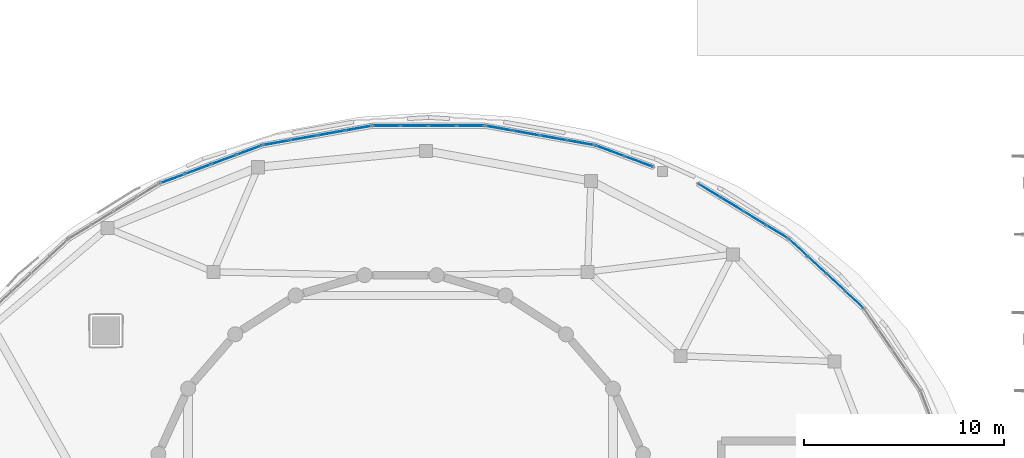
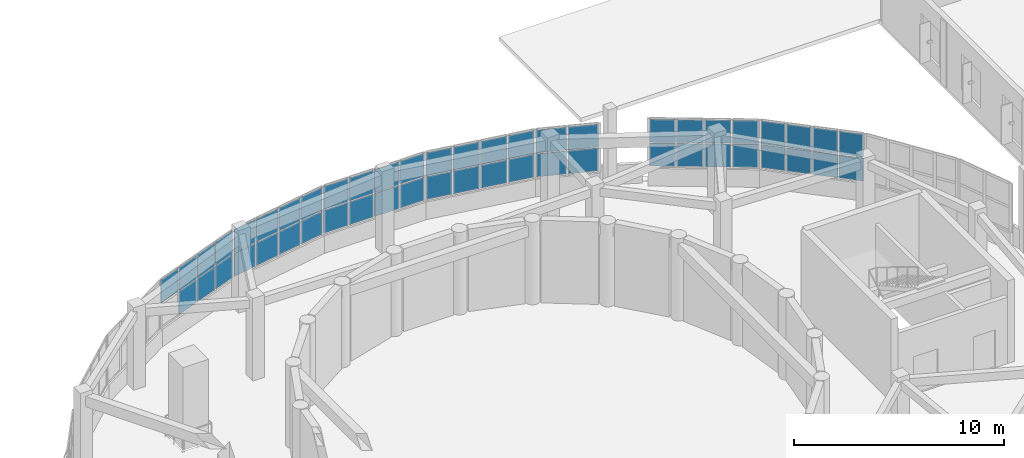
# One storey, part 78 of 105: 51 plates, 7 elements without a shape of their own.
"""IFC4 building model written with IfcOpenShell, lengths in metres."""

import ifcopenshell
import ifcopenshell.guid

model = None  # the IFC model being written
_history = None  # IfcOwnerHistory: only IFC2X3 demands one
_inside = {}  # id of a spatial element -> (the spatial element, [elements in it])
_under = {}  # id of a project, library or spatial element -> (it, [spatial elements below it])
_declared = {}  # id of a project -> (the project, [libraries it declares])
_typed = {}  # id of a type object -> (the type object, [elements of that type])
_made_of = {}  # id of a material, layer set ... -> (it, [elements and type objects made of it])


def new_model(schema):
    """Start an empty IFC model of exactly this schema.

    Asked for "IFC4X3", IfcOpenShell would pick the latest addendum, in which some entities
    have other attributes; the version numbers below select the first issue.
    IFC2X3 requires an IfcOwnerHistory on every rooted entity: one is made here for all.
    """
    global model, _history
    if schema == "IFC4X3":
        model = ifcopenshell.file(schema_version=(4, 3, 0, 0))
    else:
        model = ifcopenshell.file(schema=schema)
    _inside.clear()
    _under.clear()
    _declared.clear()
    _typed.clear()
    _made_of.clear()
    _history = None
    if model.schema == "IFC2X3":
        org = make("IfcOrganization", Name="unknown")
        user = make(
            "IfcPersonAndOrganization",
            ThePerson=make("IfcPerson", FamilyName="unknown"),
            TheOrganization=org,
        )
        app = make(
            "IfcApplication",
            ApplicationDeveloper=org,
            Version="unknown",
            ApplicationFullName="unknown",
            ApplicationIdentifier="unknown",
        )
        _history = make(
            "IfcOwnerHistory",
            OwningUser=user,
            OwningApplication=app,
            ChangeAction="ADDED",
            CreationDate=0,
        )
    return model


def make(cls, **values):
    """One entity of the class cls with the attributes given. An attribute that is None is left unset."""
    return model.create_entity(
        cls, **{name: value for name, value in values.items() if value is not None}
    )


def rooted(cls, **values):
    """An entity with a GlobalId (a new one), such as an element, a storey or a relation."""
    return make(cls, GlobalId=ifcopenshell.guid.new(), OwnerHistory=_history, **values)


def si_unit(unit_type, name, prefix=None):
    """IfcSIUnit, for example si_unit("LENGTHUNIT", "METRE", prefix="MILLI")."""
    return make("IfcSIUnit", UnitType=unit_type, Prefix=prefix, Name=name)


def assignment(units):
    """IfcUnitAssignment: the units of a project."""
    return None if units is None else make("IfcUnitAssignment", Units=units)


def point(xyz):
    """IfcCartesianPoint."""
    return None if xyz is None else make("IfcCartesianPoint", Coordinates=xyz)


def direction(xyz):
    """IfcDirection."""
    return None if xyz is None else make("IfcDirection", DirectionRatios=xyz)


def frame(location, z_axis=None, x_axis=None):
    """IfcAxis2Placement3D, a coordinate frame: its origin and axes. An axis left out is left unset."""
    return make(
        "IfcAxis2Placement3D",
        Location=point(location),
        Axis=direction(z_axis),
        RefDirection=direction(x_axis),
    )


def frame_2d(location, x_axis=None):
    """IfcAxis2Placement2D, a coordinate frame in the plane: its origin and x axis."""
    return make(
        "IfcAxis2Placement2D", Location=point(location), RefDirection=direction(x_axis)
    )


def origin():
    """The frame at (0, 0, 0) with its axes left unset."""
    return frame((0.0, 0.0, 0.0))


def origin_2d():
    """The frame at (0, 0) in the plane with its x axis left unset."""
    return frame_2d((0.0, 0.0))


def place(relative_to, where):
    """IfcLocalPlacement: puts the frame where relative to a parent placement (None: the world)."""
    return make(
        "IfcLocalPlacement", PlacementRelTo=relative_to, RelativePlacement=where
    )


def context(
    kind, dimensions, precision=None, world=None, true_north=None, identifier=None
):
    """IfcGeometricRepresentationContext, for example the 3D "Model" context."""
    return make(
        "IfcGeometricRepresentationContext",
        ContextIdentifier=identifier,
        ContextType=kind,
        CoordinateSpaceDimension=dimensions,
        Precision=precision,
        WorldCoordinateSystem=world,
        TrueNorth=true_north,
    )


def subcontext(parent, identifier, kind, view, scale=None):
    """IfcGeometricRepresentationSubContext, for example "Body" below "Model"."""
    return make(
        "IfcGeometricRepresentationSubContext",
        ContextIdentifier=identifier,
        ContextType=kind,
        ParentContext=parent,
        TargetScale=scale,
        TargetView=view,
    )


def project(units=None, contexts=None):
    """IfcProject with its units and contexts."""
    return rooted(
        "IfcProject",
        Name="project",
        RepresentationContexts=contexts,
        UnitsInContext=assignment(units),
    )


def spatial(cls, under=None, at=None, **own):
    """A site, building, storey or space (cls), placed at a placement, below another one or the project."""
    s = rooted(cls, ObjectPlacement=at, **own)
    if under is not None:
        _under.setdefault(under.id(), (under, []))[1].append(s)
    return s


def profile(cls, at=None, kind="AREA", **sizes):
    """A parametric profile (cls). Its sizes go by their IFC names, for example OverallWidth=200.0."""
    return make(cls, ProfileType=kind, Position=at, **sizes)


def rectangle(**sizes):
    """IfcRectangleProfileDef."""
    return profile("IfcRectangleProfileDef", **sizes)


def extrude(swept, where, along, depth):
    """IfcExtrudedAreaSolid: the profile swept, set in the frame where, extruded along a direction by depth."""
    return make(
        "IfcExtrudedAreaSolid",
        SweptArea=swept,
        Position=where,
        ExtrudedDirection=direction(along),
        Depth=depth,
    )


def shape(context_of_items, identifier, shape_type, items):
    """IfcShapeRepresentation: the items that make up one representation, for example the "Body"."""
    return make(
        "IfcShapeRepresentation",
        ContextOfItems=context_of_items,
        RepresentationIdentifier=identifier,
        RepresentationType=shape_type,
        Items=items,
    )


def material(Name=None, Category=None):
    """IfcMaterial."""
    return make("IfcMaterial", Name=Name, Category=Category)


def layer(
    of_material, thickness, ventilated=None, Name=None, Category=None, Priority=None
):
    """IfcMaterialLayer: one layer of a wall or slab, of a material (None: an air gap)."""
    return make(
        "IfcMaterialLayer",
        Material=of_material,
        LayerThickness=thickness,
        IsVentilated=ventilated,
        Name=Name,
        Category=Category,
        Priority=Priority,
    )


def layer_set(layers, Name=None):
    """IfcMaterialLayerSet."""
    return make("IfcMaterialLayerSet", MaterialLayers=layers, LayerSetName=Name)


def made_of(thing, what):
    """Note that an element or type object is made of a material, layer set ...; save() writes the relation."""
    if what is not None:
        _made_of.setdefault(what.id(), (what, []))[1].append(thing)
    return thing


def type_object(cls, material=None, **own):
    """A type object (cls), such as IfcWallType, which elements share."""
    return made_of(rooted(cls, **own), material)


def element(
    cls,
    number,
    at=None,
    inside=None,
    cuts=None,
    type_object=None,
    material=None,
    context=None,
    identifier="Body",
    shape_type=None,
    held_by="IfcProductDefinitionShape",
    body=None,
    shapes=None,
    **own,
):
    """One element of the class cls, such as IfcWall. Its Tag is "e" and its number.

    at: its placement. inside: the storey or other place that contains it. cuts: it is an
    opening in that element (IfcRelVoidsElement). A single representation is given by context,
    identifier, shape_type and body (its items); several are given by shapes. held_by: the class
    of the entity that holds the representations. save() writes the other relations.
    """
    e = rooted(cls, Tag="e%d" % number, ObjectPlacement=at, **own)
    if body is not None:
        shapes = [shape(context, identifier, shape_type, body)]
    if shapes is not None:
        e.Representation = make(held_by, Representations=shapes)
    if inside is not None:
        _inside.setdefault(inside.id(), (inside, []))[1].append(e)
    if cuts is not None:
        rooted(
            "IfcRelVoidsElement", RelatingBuildingElement=cuts, RelatedOpeningElement=e
        )
    if type_object is not None:
        _typed.setdefault(type_object.id(), (type_object, []))[1].append(e)
    return made_of(e, material)


def aggregate(whole, parts):
    """IfcRelAggregates: a whole, such as a stair, and the parts it consists of."""
    return rooted("IfcRelAggregates", RelatingObject=whole, RelatedObjects=parts)


def save(model, path):
    """Write the relations noted so far, then the file.

    IfcRelAggregates (storeys below a building ...), IfcRelContainedInSpatialStructure (elements
    in a storey), IfcRelDefinesByType, IfcRelAssociatesMaterial and IfcRelDeclares: one each for
    every whole, place, type object, material and project.
    """
    for whole, parts in _under.values():
        aggregate(whole, parts)
    for where, things in _inside.values():
        rooted(
            "IfcRelContainedInSpatialStructure",
            RelatedElements=things,
            RelatingStructure=where,
        )
    for kind, things in _typed.values():
        rooted("IfcRelDefinesByType", RelatedObjects=things, RelatingType=kind)
    for what, things in _made_of.values():
        rooted("IfcRelAssociatesMaterial", RelatedObjects=things, RelatingMaterial=what)
    for by, libraries in _declared.values():
        rooted("IfcRelDeclares", RelatingContext=by, RelatedDefinitions=libraries)
    model.write(path)


model = new_model("IFC4")

# Units and contexts
model_context = context("Model", 3, precision=1e-05, world=origin(), true_north=direction((0.0, 1.0)))
body_context = subcontext(model_context, "Body", "Model", "MODEL_VIEW")
ifc_project = project(units=[si_unit("LENGTHUNIT", "METRE"), si_unit("AREAUNIT", "SQUARE_METRE"), si_unit("VOLUMEUNIT", "CUBIC_METRE"), si_unit("PLANEANGLEUNIT", "RADIAN"), si_unit("MASSUNIT", "GRAM", prefix="KILO")], contexts=[model_context])

# Site, building, storey
site_placement = place(None, origin())
site = spatial("IfcSite", under=ifc_project, at=site_placement, CompositionType="ELEMENT")
building_placement = place(site_placement, origin())
building = spatial("IfcBuilding", under=site, at=building_placement, Name="Pelvatis Terrace Science Centre", CompositionType="ELEMENT")
storey_placement = place(building_placement, frame((0.0, 0.0, 10.199951171875)))
storey = spatial("IfcBuildingStorey", under=building, at=storey_placement, Name="L02", CompositionType="ELEMENT", Elevation=10.199951171875)

# Curtain wall, plates
ifc_material_1 = material(Name="Bronze-anodised aluminium and laminated glass", Category="aluminium")
ifc_layer_1 = layer(ifc_material_1, 0.179931640625)
ifc_layer_set_1 = layer_set([ifc_layer_1], Name="Bronze-anodised aluminium and laminated glass")
curtain_wall_type = type_object("IfcCurtainWallType", Name="CW-RIBBON-A", PredefinedType="NOTDEFINED", material=ifc_layer_set_1)
curtain_wall_1_placement = place(storey_placement, origin())
curtain_wall_1 = element("IfcCurtainWall", 1, at=curtain_wall_1_placement, inside=storey, type_object=curtain_wall_type, Name="Ribbon curtain wall CW-157 (L02)", PredefinedType="NOTDEFINED")
ifc_material_2 = material(Name="Low-e laminated solar-control double glazing", Category="glass")
ifc_layer_2 = layer(ifc_material_2, 0.035888671875)
ifc_layer_set_2 = layer_set([ifc_layer_2], Name="Low-e laminated solar-control double glazing")
plate_type = type_object("IfcPlateType", Name="CWP-IGU-36", PredefinedType="CURTAIN_PANEL", material=ifc_layer_set_2)
plate_1_placement = place(storey_placement, frame((131.841552734375, 97.0419921875, 1.080078125), z_axis=(0.0, 0.0, 1.0), x_axis=(-0.732776119466, 0.680469807369, 0.0)))
plate_1 = element("IfcPlate", 2, at=plate_1_placement, type_object=plate_type, Name="CW-157 panel 1.1", PredefinedType="CURTAIN_PANEL", context=body_context, shape_type="SweptSolid", body=[
    extrude(rectangle(XDim=1.19140625, YDim=0.035888671875, at=origin_2d()), origin(), (0.0, 0.0, 1.0), 1.330078125),
])
plate_2_placement = place(storey_placement, frame((131.841552734375, 97.0419921875, 2.469970703125), z_axis=(0.0, 0.0, 1.0), x_axis=(-0.732776119466, 0.680469807369, 0.0)))
plate_2 = element("IfcPlate", 3, at=plate_2_placement, type_object=plate_type, Name="CW-157 panel 1.2", PredefinedType="CURTAIN_PANEL", context=body_context, shape_type="SweptSolid", body=[
    extrude(rectangle(XDim=1.19140625, YDim=0.035888671875, at=origin_2d()), origin(), (0.0, 0.0, 1.0), 1.330078125),
])
plate_3_placement = place(storey_placement, frame((130.91357421875, 97.90380859375, 1.080078125), z_axis=(0.0, 0.0, 1.0), x_axis=(-0.732776119466, 0.680469807369, 0.0)))
plate_3 = element("IfcPlate", 4, at=plate_3_placement, type_object=plate_type, Name="CW-157 panel 2.1", PredefinedType="CURTAIN_PANEL", context=body_context, shape_type="SweptSolid", body=[
    extrude(rectangle(XDim=1.221435546875, YDim=0.035888671875, at=origin_2d()), origin(), (0.0, 0.0, 1.0), 1.330078125),
])
plate_4_placement = place(storey_placement, frame((130.91357421875, 97.90380859375, 2.469970703125), z_axis=(0.0, 0.0, 1.0), x_axis=(-0.732776119466, 0.680469807369, 0.0)))
plate_4 = element("IfcPlate", 5, at=plate_4_placement, type_object=plate_type, Name="CW-157 panel 2.2", PredefinedType="CURTAIN_PANEL", context=body_context, shape_type="SweptSolid", body=[
    extrude(rectangle(XDim=1.221435546875, YDim=0.035888671875, at=origin_2d()), origin(), (0.0, 0.0, 1.0), 1.330078125),
])
plate_5_placement = place(storey_placement, frame((129.974609375, 98.775634765625, 1.080078125), z_axis=(0.0, 0.0, 1.0), x_axis=(-0.732776119466, 0.680469807369, 0.0)))
plate_5 = element("IfcPlate", 6, at=plate_5_placement, type_object=plate_type, Name="CW-157 panel 3.1", PredefinedType="CURTAIN_PANEL", context=body_context, shape_type="SweptSolid", body=[
    extrude(rectangle(XDim=1.221435546875, YDim=0.035888671875, at=origin_2d()), origin(), (0.0, 0.0, 1.0), 1.330078125),
])
plate_6_placement = place(storey_placement, frame((129.974609375, 98.775634765625, 2.469970703125), z_axis=(0.0, 0.0, 1.0), x_axis=(-0.732776119466, 0.680469807369, 0.0)))
plate_6 = element("IfcPlate", 7, at=plate_6_placement, type_object=plate_type, Name="CW-157 panel 3.2", PredefinedType="CURTAIN_PANEL", context=body_context, shape_type="SweptSolid", body=[
    extrude(rectangle(XDim=1.221435546875, YDim=0.035888671875, at=origin_2d()), origin(), (0.0, 0.0, 1.0), 1.330078125),
])
plate_7_placement = place(storey_placement, frame((129.046630859375, 99.637451171875, 1.080078125), z_axis=(0.0, 0.0, 1.0), x_axis=(-0.732776119466, 0.680469807369, 0.0)))
plate_7 = element("IfcPlate", 8, at=plate_7_placement, type_object=plate_type, Name="CW-157 panel 4.1", PredefinedType="CURTAIN_PANEL", context=body_context, shape_type="SweptSolid", body=[
    extrude(rectangle(XDim=1.19140625, YDim=0.035888671875, at=origin_2d()), origin(), (0.0, 0.0, 1.0), 1.330078125),
])
plate_8_placement = place(storey_placement, frame((129.046630859375, 99.637451171875, 2.469970703125), z_axis=(0.0, 0.0, 1.0), x_axis=(-0.732776119466, 0.680469807369, 0.0)))
plate_8 = element("IfcPlate", 9, at=plate_8_placement, type_object=plate_type, Name="CW-157 panel 4.2", PredefinedType="CURTAIN_PANEL", context=body_context, shape_type="SweptSolid", body=[
    extrude(rectangle(XDim=1.19140625, YDim=0.035888671875, at=origin_2d()), origin(), (0.0, 0.0, 1.0), 1.330078125),
])
aggregate(curtain_wall_1, [plate_1, plate_2, plate_3, plate_4, plate_5, plate_6, plate_7, plate_8])

curtain_wall_2_placement = place(storey_placement, origin())
curtain_wall_2 = element("IfcCurtainWall", 10, at=curtain_wall_2_placement, inside=storey, type_object=curtain_wall_type, Name="Ribbon curtain wall CW-158 (L02)", PredefinedType="NOTDEFINED")
plate_9_placement = place(storey_placement, frame((127.98583984375, 100.436279296875, 1.080078125), z_axis=(0.0, 0.0, 1.0), x_axis=(-0.854658677279, 0.519190278561, 0.0)))
plate_9 = element("IfcPlate", 11, at=plate_9_placement, type_object=plate_type, Name="CW-158 panel 1.1", PredefinedType="CURTAIN_PANEL", context=body_context, shape_type="SweptSolid", body=[
    extrude(rectangle(XDim=1.23828125, YDim=0.035888671875, at=origin_2d()), origin(), (0.0, 0.0, 1.0), 1.330078125),
])
plate_10_placement = place(storey_placement, frame((127.98583984375, 100.436279296875, 2.469970703125), z_axis=(0.0, 0.0, 1.0), x_axis=(-0.854658677279, 0.519190278561, 0.0)))
plate_10 = element("IfcPlate", 12, at=plate_10_placement, type_object=plate_type, Name="CW-158 panel 1.2", PredefinedType="CURTAIN_PANEL", context=body_context, shape_type="SweptSolid", body=[
    extrude(rectangle(XDim=1.23828125, YDim=0.035888671875, at=origin_2d()), origin(), (0.0, 0.0, 1.0), 1.330078125),
])
plate_11_placement = place(storey_placement, frame((126.86328125, 101.1181640625, 1.080078125), z_axis=(0.0, 0.0, 1.0), x_axis=(-0.854658677279, 0.519190278561, 0.0)))
plate_11 = element("IfcPlate", 13, at=plate_11_placement, type_object=plate_type, Name="CW-158 panel 2.1", PredefinedType="CURTAIN_PANEL", context=body_context, shape_type="SweptSolid", body=[
    extrude(rectangle(XDim=1.268310546875, YDim=0.035888671875, at=origin_2d()), origin(), (0.0, 0.0, 1.0), 1.330078125),
])
plate_12_placement = place(storey_placement, frame((126.86328125, 101.1181640625, 2.469970703125), z_axis=(0.0, 0.0, 1.0), x_axis=(-0.854658677279, 0.519190278561, 0.0)))
plate_12 = element("IfcPlate", 14, at=plate_12_placement, type_object=plate_type, Name="CW-158 panel 2.2", PredefinedType="CURTAIN_PANEL", context=body_context, shape_type="SweptSolid", body=[
    extrude(rectangle(XDim=1.268310546875, YDim=0.035888671875, at=origin_2d()), origin(), (0.0, 0.0, 1.0), 1.330078125),
])
plate_13_placement = place(storey_placement, frame((125.72802734375, 101.807861328125, 1.080078125), z_axis=(0.0, 0.0, 1.0), x_axis=(-0.854658677279, 0.519190278561, 0.0)))
plate_13 = element("IfcPlate", 15, at=plate_13_placement, type_object=plate_type, Name="CW-158 panel 3.1", PredefinedType="CURTAIN_PANEL", context=body_context, shape_type="SweptSolid", body=[
    extrude(rectangle(XDim=1.268310546875, YDim=0.035888671875, at=origin_2d()), origin(), (0.0, 0.0, 1.0), 1.330078125),
])
plate_14_placement = place(storey_placement, frame((125.72802734375, 101.807861328125, 2.469970703125), z_axis=(0.0, 0.0, 1.0), x_axis=(-0.854658677279, 0.519190278561, 0.0)))
plate_14 = element("IfcPlate", 16, at=plate_14_placement, type_object=plate_type, Name="CW-158 panel 3.2", PredefinedType="CURTAIN_PANEL", context=body_context, shape_type="SweptSolid", body=[
    extrude(rectangle(XDim=1.268310546875, YDim=0.035888671875, at=origin_2d()), origin(), (0.0, 0.0, 1.0), 1.330078125),
])
plate_15_placement = place(storey_placement, frame((124.60546875, 102.48974609375, 1.080078125), z_axis=(0.0, 0.0, 1.0), x_axis=(-0.854658677279, 0.519190278561, 0.0)))
plate_15 = element("IfcPlate", 17, at=plate_15_placement, type_object=plate_type, Name="CW-158 panel 4.1", PredefinedType="CURTAIN_PANEL", context=body_context, shape_type="SweptSolid", body=[
    extrude(rectangle(XDim=1.23828125, YDim=0.035888671875, at=origin_2d()), origin(), (0.0, 0.0, 1.0), 1.330078125),
])
plate_16_placement = place(storey_placement, frame((124.60546875, 102.48974609375, 2.469970703125), z_axis=(0.0, 0.0, 1.0), x_axis=(-0.854658677279, 0.519190278561, 0.0)))
plate_16 = element("IfcPlate", 18, at=plate_16_placement, type_object=plate_type, Name="CW-158 panel 4.2", PredefinedType="CURTAIN_PANEL", context=body_context, shape_type="SweptSolid", body=[
    extrude(rectangle(XDim=1.23828125, YDim=0.035888671875, at=origin_2d()), origin(), (0.0, 0.0, 1.0), 1.330078125),
])
aggregate(curtain_wall_2, [plate_9, plate_10, plate_11, plate_12, plate_13, plate_14, plate_15, plate_16])

curtain_wall_3_placement = place(storey_placement, origin())
curtain_wall_3 = element("IfcCurtainWall", 19, at=curtain_wall_3_placement, inside=storey, type_object=curtain_wall_type, Name="Ribbon curtain wall CW-159 (L02)", PredefinedType="NOTDEFINED")
plate_17_placement = place(storey_placement, frame((121.075927734375, 103.940185546875, 1.080078125), z_axis=(0.0, 0.0, 1.0), x_axis=(-0.937172140006, 0.348867281349, 0.0)))
plate_17 = element("IfcPlate", 20, at=plate_17_placement, type_object=plate_type, Name="CW-159 panel 1.1", PredefinedType="CURTAIN_PANEL", context=body_context, shape_type="SweptSolid", body=[
    extrude(rectangle(XDim=1.469970703125, YDim=0.035888671875, at=origin_2d()), origin(), (0.0, 0.0, 1.0), 1.330078125),
])
plate_18_placement = place(storey_placement, frame((121.075927734375, 103.940185546875, 2.469970703125), z_axis=(0.0, 0.0, 1.0), x_axis=(-0.937172140006, 0.348867281349, 0.0)))
plate_18 = element("IfcPlate", 21, at=plate_18_placement, type_object=plate_type, Name="CW-159 panel 1.2", PredefinedType="CURTAIN_PANEL", context=body_context, shape_type="SweptSolid", body=[
    extrude(rectangle(XDim=1.469970703125, YDim=0.035888671875, at=origin_2d()), origin(), (0.0, 0.0, 1.0), 1.330078125),
])
plate_19_placement = place(storey_placement, frame((119.64208984375, 104.473876953125, 1.080078125), z_axis=(0.0, 0.0, 1.0), x_axis=(-0.937172140006, 0.348867281349, 0.0)))
plate_19 = element("IfcPlate", 22, at=plate_19_placement, type_object=plate_type, Name="CW-159 panel 2.1", PredefinedType="CURTAIN_PANEL", context=body_context, shape_type="SweptSolid", body=[
    extrude(rectangle(XDim=1.469970703125, YDim=0.035888671875, at=origin_2d()), origin(), (0.0, 0.0, 1.0), 1.330078125),
])
plate_20_placement = place(storey_placement, frame((119.64208984375, 104.473876953125, 2.469970703125), z_axis=(0.0, 0.0, 1.0), x_axis=(-0.937172140006, 0.348867281349, 0.0)))
plate_20 = element("IfcPlate", 23, at=plate_20_placement, type_object=plate_type, Name="CW-159 panel 2.2", PredefinedType="CURTAIN_PANEL", context=body_context, shape_type="SweptSolid", body=[
    extrude(rectangle(XDim=1.469970703125, YDim=0.035888671875, at=origin_2d()), origin(), (0.0, 0.0, 1.0), 1.330078125),
])
aggregate(curtain_wall_3, [plate_17, plate_18, plate_19, plate_20])

curtain_wall_4_placement = place(storey_placement, origin())
curtain_wall_4 = element("IfcCurtainWall", 24, at=curtain_wall_4_placement, inside=storey, type_object=curtain_wall_type, Name="Ribbon curtain wall CW-160 (L02)", PredefinedType="NOTDEFINED")
plate_21_placement = place(storey_placement, frame((118.196044921875, 104.875732421875, 1.080078125), z_axis=(0.0, 0.0, 1.0), x_axis=(-0.984571434014, 0.174983117252, 0.0)))
plate_21 = element("IfcPlate", 25, at=plate_21_placement, type_object=plate_type, Name="CW-160 panel 1.1", PredefinedType="CURTAIN_PANEL", context=body_context, shape_type="SweptSolid", body=[
    extrude(rectangle(XDim=1.30419921875, YDim=0.035888671875, at=origin_2d()), origin(), (0.0, 0.0, 1.0), 1.330078125),
])
plate_22_placement = place(storey_placement, frame((118.196044921875, 104.875732421875, 2.469970703125), z_axis=(0.0, 0.0, 1.0), x_axis=(-0.984571434014, 0.174983117252, 0.0)))
plate_22 = element("IfcPlate", 26, at=plate_22_placement, type_object=plate_type, Name="CW-160 panel 1.2", PredefinedType="CURTAIN_PANEL", context=body_context, shape_type="SweptSolid", body=[
    extrude(rectangle(XDim=1.30419921875, YDim=0.035888671875, at=origin_2d()), origin(), (0.0, 0.0, 1.0), 1.330078125),
])
plate_23_placement = place(storey_placement, frame((116.838134765625, 105.1171875, 1.080078125), z_axis=(0.0, 0.0, 1.0), x_axis=(-0.984571434014, 0.174983117252, 0.0)))
plate_23 = element("IfcPlate", 27, at=plate_23_placement, type_object=plate_type, Name="CW-160 panel 2.1", PredefinedType="CURTAIN_PANEL", context=body_context, shape_type="SweptSolid", body=[
    extrude(rectangle(XDim=1.334228515625, YDim=0.035888671875, at=origin_2d()), origin(), (0.0, 0.0, 1.0), 1.330078125),
])
plate_24_placement = place(storey_placement, frame((116.838134765625, 105.1171875, 2.469970703125), z_axis=(0.0, 0.0, 1.0), x_axis=(-0.984571434014, 0.174983117252, 0.0)))
plate_24 = element("IfcPlate", 28, at=plate_24_placement, type_object=plate_type, Name="CW-160 panel 2.2", PredefinedType="CURTAIN_PANEL", context=body_context, shape_type="SweptSolid", body=[
    extrude(rectangle(XDim=1.334228515625, YDim=0.035888671875, at=origin_2d()), origin(), (0.0, 0.0, 1.0), 1.330078125),
])
plate_25_placement = place(storey_placement, frame((115.465576171875, 105.361083984375, 1.080078125), z_axis=(0.0, 0.0, 1.0), x_axis=(-0.984571434014, 0.174983117252, 0.0)))
plate_25 = element("IfcPlate", 29, at=plate_25_placement, type_object=plate_type, Name="CW-160 panel 3.1", PredefinedType="CURTAIN_PANEL", context=body_context, shape_type="SweptSolid", body=[
    extrude(rectangle(XDim=1.334228515625, YDim=0.035888671875, at=origin_2d()), origin(), (0.0, 0.0, 1.0), 1.330078125),
])
plate_26_placement = place(storey_placement, frame((115.465576171875, 105.361083984375, 2.469970703125), z_axis=(0.0, 0.0, 1.0), x_axis=(-0.984571434014, 0.174983117252, 0.0)))
plate_26 = element("IfcPlate", 30, at=plate_26_placement, type_object=plate_type, Name="CW-160 panel 3.2", PredefinedType="CURTAIN_PANEL", context=body_context, shape_type="SweptSolid", body=[
    extrude(rectangle(XDim=1.334228515625, YDim=0.035888671875, at=origin_2d()), origin(), (0.0, 0.0, 1.0), 1.330078125),
])
plate_27_placement = place(storey_placement, frame((114.107666015625, 105.602294921875, 1.080078125), z_axis=(0.0, 0.0, 1.0), x_axis=(-0.984571434014, 0.174983117252, 0.0)))
plate_27 = element("IfcPlate", 31, at=plate_27_placement, type_object=plate_type, Name="CW-160 panel 4.1", PredefinedType="CURTAIN_PANEL", context=body_context, shape_type="SweptSolid", body=[
    extrude(rectangle(XDim=1.30419921875, YDim=0.035888671875, at=origin_2d()), origin(), (0.0, 0.0, 1.0), 1.330078125),
])
plate_28_placement = place(storey_placement, frame((114.107666015625, 105.602294921875, 2.469970703125), z_axis=(0.0, 0.0, 1.0), x_axis=(-0.984571434014, 0.174983117252, 0.0)))
plate_28 = element("IfcPlate", 32, at=plate_28_placement, type_object=plate_type, Name="CW-160 panel 4.2", PredefinedType="CURTAIN_PANEL", context=body_context, shape_type="SweptSolid", body=[
    extrude(rectangle(XDim=1.30419921875, YDim=0.035888671875, at=origin_2d()), origin(), (0.0, 0.0, 1.0), 1.330078125),
])
aggregate(curtain_wall_4, [plate_21, plate_22, plate_23, plate_24, plate_25, plate_26, plate_27, plate_28])

curtain_wall_5_placement = place(storey_placement, origin())
curtain_wall_5 = element("IfcCurtainWall", 33, at=curtain_wall_5_placement, inside=storey, type_object=curtain_wall_type, Name="Ribbon curtain wall CW-161 (L02)", PredefinedType="NOTDEFINED")
plate_29_placement = place(storey_placement, frame((112.68994140625, 105.72705078125, 1.080078125), z_axis=(0.0, 0.0, 1.0), x_axis=(-1.0, 0.0, 0.0)))
plate_29 = element("IfcPlate", 34, at=plate_29_placement, type_object=plate_type, Name="CW-161 panel 1.1", PredefinedType="CURTAIN_PANEL", context=body_context, shape_type="SweptSolid", body=[
    extrude(rectangle(XDim=1.313232421875, YDim=0.035888671875, at=origin_2d()), origin(), (0.0, 0.0, 1.0), 1.330078125),
])
plate_30_placement = place(storey_placement, frame((112.68994140625, 105.72705078125, 2.469970703125), z_axis=(0.0, 0.0, 1.0), x_axis=(-1.0, 0.0, 0.0)))
plate_30 = element("IfcPlate", 35, at=plate_30_placement, type_object=plate_type, Name="CW-161 panel 1.2", PredefinedType="CURTAIN_PANEL", context=body_context, shape_type="SweptSolid", body=[
    extrude(rectangle(XDim=1.313232421875, YDim=0.035888671875, at=origin_2d()), origin(), (0.0, 0.0, 1.0), 1.330078125),
])
plate_31_placement = place(storey_placement, frame((111.3017578125, 105.72705078125, 1.080078125), z_axis=(0.0, 0.0, 1.0), x_axis=(-1.0, 0.0, 0.0)))
plate_31 = element("IfcPlate", 36, at=plate_31_placement, type_object=plate_type, Name="CW-161 panel 2.1", PredefinedType="CURTAIN_PANEL", context=body_context, shape_type="SweptSolid", body=[
    extrude(rectangle(XDim=1.34326171875, YDim=0.035888671875, at=origin_2d()), origin(), (0.0, 0.0, 1.0), 1.330078125),
])
plate_32_placement = place(storey_placement, frame((111.3017578125, 105.72705078125, 2.469970703125), z_axis=(0.0, 0.0, 1.0), x_axis=(-1.0, 0.0, 0.0)))
plate_32 = element("IfcPlate", 37, at=plate_32_placement, type_object=plate_type, Name="CW-161 panel 2.2", PredefinedType="CURTAIN_PANEL", context=body_context, shape_type="SweptSolid", body=[
    extrude(rectangle(XDim=1.34326171875, YDim=0.035888671875, at=origin_2d()), origin(), (0.0, 0.0, 1.0), 1.330078125),
])
plate_33_placement = place(storey_placement, frame((109.8984375, 105.72705078125, 1.080078125), z_axis=(0.0, 0.0, 1.0), x_axis=(-1.0, 0.0, 0.0)))
plate_33 = element("IfcPlate", 38, at=plate_33_placement, type_object=plate_type, Name="CW-161 panel 3.1", PredefinedType="CURTAIN_PANEL", context=body_context, shape_type="SweptSolid", body=[
    extrude(rectangle(XDim=1.34326171875, YDim=0.035888671875, at=origin_2d()), origin(), (0.0, 0.0, 1.0), 1.330078125),
])
plate_34_placement = place(storey_placement, frame((109.8984375, 105.72705078125, 2.469970703125), z_axis=(0.0, 0.0, 1.0), x_axis=(-1.0, 0.0, 0.0)))
plate_34 = element("IfcPlate", 39, at=plate_34_placement, type_object=plate_type, Name="CW-161 panel 3.2", PredefinedType="CURTAIN_PANEL", context=body_context, shape_type="SweptSolid", body=[
    extrude(rectangle(XDim=1.34326171875, YDim=0.035888671875, at=origin_2d()), origin(), (0.0, 0.0, 1.0), 1.330078125),
])
plate_35_placement = place(storey_placement, frame((108.510009765625, 105.72705078125, 1.080078125), z_axis=(0.0, 0.0, 1.0), x_axis=(-1.0, 0.0, 0.0)))
plate_35 = element("IfcPlate", 40, at=plate_35_placement, type_object=plate_type, Name="CW-161 panel 4.1", PredefinedType="CURTAIN_PANEL", context=body_context, shape_type="SweptSolid", body=[
    extrude(rectangle(XDim=1.313232421875, YDim=0.035888671875, at=origin_2d()), origin(), (0.0, 0.0, 1.0), 1.330078125),
])
plate_36_placement = place(storey_placement, frame((108.510009765625, 105.72705078125, 2.469970703125), z_axis=(0.0, 0.0, 1.0), x_axis=(-1.0, 0.0, 0.0)))
plate_36 = element("IfcPlate", 41, at=plate_36_placement, type_object=plate_type, Name="CW-161 panel 4.2", PredefinedType="CURTAIN_PANEL", context=body_context, shape_type="SweptSolid", body=[
    extrude(rectangle(XDim=1.313232421875, YDim=0.035888671875, at=origin_2d()), origin(), (0.0, 0.0, 1.0), 1.330078125),
])
aggregate(curtain_wall_5, [plate_29, plate_30, plate_31, plate_32, plate_33, plate_34, plate_35, plate_36])

curtain_wall_6_placement = place(storey_placement, origin())
curtain_wall_6 = element("IfcCurtainWall", 42, at=curtain_wall_6_placement, inside=storey, type_object=curtain_wall_type, Name="Ribbon curtain wall CW-162 (L02)", PredefinedType="NOTDEFINED")
plate_37_placement = place(storey_placement, frame((107.09228515625, 105.602294921875, 1.080078125), z_axis=(0.0, 0.0, 1.0), x_axis=(-0.984571434014, -0.174983117252, 0.0)))
plate_37 = element("IfcPlate", 43, at=plate_37_placement, type_object=plate_type, Name="CW-162 panel 1.1", PredefinedType="CURTAIN_PANEL", context=body_context, shape_type="SweptSolid", body=[
    extrude(rectangle(XDim=1.30419921875, YDim=0.035888671875, at=origin_2d()), origin(), (0.0, 0.0, 1.0), 1.330078125),
])
plate_38_placement = place(storey_placement, frame((107.09228515625, 105.602294921875, 2.469970703125), z_axis=(0.0, 0.0, 1.0), x_axis=(-0.984571434014, -0.174983117252, 0.0)))
plate_38 = element("IfcPlate", 44, at=plate_38_placement, type_object=plate_type, Name="CW-162 panel 1.2", PredefinedType="CURTAIN_PANEL", context=body_context, shape_type="SweptSolid", body=[
    extrude(rectangle(XDim=1.30419921875, YDim=0.035888671875, at=origin_2d()), origin(), (0.0, 0.0, 1.0), 1.330078125),
])
plate_39_placement = place(storey_placement, frame((105.734375, 105.361083984375, 1.080078125), z_axis=(0.0, 0.0, 1.0), x_axis=(-0.984571434014, -0.174983117252, 0.0)))
plate_39 = element("IfcPlate", 45, at=plate_39_placement, type_object=plate_type, Name="CW-162 panel 2.1", PredefinedType="CURTAIN_PANEL", context=body_context, shape_type="SweptSolid", body=[
    extrude(rectangle(XDim=1.334228515625, YDim=0.035888671875, at=origin_2d()), origin(), (0.0, 0.0, 1.0), 1.330078125),
])
plate_40_placement = place(storey_placement, frame((105.734375, 105.361083984375, 2.469970703125), z_axis=(0.0, 0.0, 1.0), x_axis=(-0.984571434014, -0.174983117252, 0.0)))
plate_40 = element("IfcPlate", 46, at=plate_40_placement, type_object=plate_type, Name="CW-162 panel 2.2", PredefinedType="CURTAIN_PANEL", context=body_context, shape_type="SweptSolid", body=[
    extrude(rectangle(XDim=1.334228515625, YDim=0.035888671875, at=origin_2d()), origin(), (0.0, 0.0, 1.0), 1.330078125),
])
plate_41_placement = place(storey_placement, frame((104.36181640625, 105.1171875, 1.080078125), z_axis=(0.0, 0.0, 1.0), x_axis=(-0.984571434014, -0.174983117252, 0.0)))
plate_41 = element("IfcPlate", 47, at=plate_41_placement, type_object=plate_type, Name="CW-162 panel 3.1", PredefinedType="CURTAIN_PANEL", context=body_context, shape_type="SweptSolid", body=[
    extrude(rectangle(XDim=1.334228515625, YDim=0.035888671875, at=origin_2d()), origin(), (0.0, 0.0, 1.0), 1.330078125),
])
plate_42_placement = place(storey_placement, frame((104.36181640625, 105.1171875, 2.469970703125), z_axis=(0.0, 0.0, 1.0), x_axis=(-0.984571434014, -0.174983117252, 0.0)))
plate_42 = element("IfcPlate", 48, at=plate_42_placement, type_object=plate_type, Name="CW-162 panel 3.2", PredefinedType="CURTAIN_PANEL", context=body_context, shape_type="SweptSolid", body=[
    extrude(rectangle(XDim=1.334228515625, YDim=0.035888671875, at=origin_2d()), origin(), (0.0, 0.0, 1.0), 1.330078125),
])
plate_43_placement = place(storey_placement, frame((103.00390625, 104.875732421875, 1.080078125), z_axis=(0.0, 0.0, 1.0), x_axis=(-0.984571434014, -0.174983117252, 0.0)))
plate_43 = element("IfcPlate", 49, at=plate_43_placement, type_object=plate_type, Name="CW-162 panel 4.1", PredefinedType="CURTAIN_PANEL", context=body_context, shape_type="SweptSolid", body=[
    extrude(rectangle(XDim=1.30419921875, YDim=0.035888671875, at=origin_2d()), origin(), (0.0, 0.0, 1.0), 1.330078125),
])
plate_44_placement = place(storey_placement, frame((103.00390625, 104.875732421875, 2.469970703125), z_axis=(0.0, 0.0, 1.0), x_axis=(-0.984571434014, -0.174983117252, 0.0)))
plate_44 = element("IfcPlate", 50, at=plate_44_placement, type_object=plate_type, Name="CW-162 panel 4.2", PredefinedType="CURTAIN_PANEL", context=body_context, shape_type="SweptSolid", body=[
    extrude(rectangle(XDim=1.30419921875, YDim=0.035888671875, at=origin_2d()), origin(), (0.0, 0.0, 1.0), 1.330078125),
])
aggregate(curtain_wall_6, [plate_37, plate_38, plate_39, plate_40, plate_41, plate_42, plate_43, plate_44])

curtain_wall_7_placement = place(storey_placement, origin())
curtain_wall_7 = element("IfcCurtainWall", 51, at=curtain_wall_7_placement, inside=storey, type_object=curtain_wall_type, Name="Ribbon curtain wall CW-163 (L02)", PredefinedType="NOTDEFINED")
plate_45_placement = place(storey_placement, frame((101.64794921875, 104.50732421875, 1.080078125), z_axis=(0.0, 0.0, 1.0), x_axis=(-0.937171415318, -0.348869228095, 0.0)))
plate_45 = element("IfcPlate", 52, at=plate_45_placement, type_object=plate_type, Name="CW-163 panel 1.1", PredefinedType="CURTAIN_PANEL", context=body_context, shape_type="SweptSolid", body=[
    extrude(rectangle(XDim=1.27783203125, YDim=0.035888671875, at=origin_2d()), origin(), (0.0, 0.0, 1.0), 1.330078125),
])
plate_46_placement = place(storey_placement, frame((101.64794921875, 104.50732421875, 2.469970703125), z_axis=(0.0, 0.0, 1.0), x_axis=(-0.937171415318, -0.348869228095, 0.0)))
plate_46 = element("IfcPlate", 53, at=plate_46_placement, type_object=plate_type, Name="CW-163 panel 1.2", PredefinedType="CURTAIN_PANEL", context=body_context, shape_type="SweptSolid", body=[
    extrude(rectangle(XDim=1.27783203125, YDim=0.035888671875, at=origin_2d()), origin(), (0.0, 0.0, 1.0), 1.330078125),
])
plate_47_placement = place(storey_placement, frame((100.3798828125, 104.035400390625, 1.080078125), z_axis=(0.0, 0.0, 1.0), x_axis=(-0.937171415318, -0.348869228095, 0.0)))
plate_47 = element("IfcPlate", 54, at=plate_47_placement, type_object=plate_type, Name="CW-163 panel 2.1", PredefinedType="CURTAIN_PANEL", context=body_context, shape_type="SweptSolid", body=[
    extrude(rectangle(XDim=1.307861328125, YDim=0.035888671875, at=origin_2d()), origin(), (0.0, 0.0, 1.0), 1.330078125),
])
plate_48_placement = place(storey_placement, frame((100.3798828125, 104.035400390625, 2.469970703125), z_axis=(0.0, 0.0, 1.0), x_axis=(-0.937171415318, -0.348869228095, 0.0)))
plate_48 = element("IfcPlate", 55, at=plate_48_placement, type_object=plate_type, Name="CW-163 panel 2.2", PredefinedType="CURTAIN_PANEL", context=body_context, shape_type="SweptSolid", body=[
    extrude(rectangle(XDim=1.307861328125, YDim=0.035888671875, at=origin_2d()), origin(), (0.0, 0.0, 1.0), 1.330078125),
])
plate_49_placement = place(storey_placement, frame((99.097900390625, 103.55810546875, 1.080078125), z_axis=(0.0, 0.0, 1.0), x_axis=(-0.937171415318, -0.348869228095, 0.0)))
plate_49 = element("IfcPlate", 56, at=plate_49_placement, type_object=plate_type, Name="CW-163 panel 3.1", PredefinedType="CURTAIN_PANEL", context=body_context, shape_type="SweptSolid", body=[
    extrude(rectangle(XDim=1.307861328125, YDim=0.035888671875, at=origin_2d()), origin(), (0.0, 0.0, 1.0), 1.330078125),
])
plate_50_placement = place(storey_placement, frame((99.097900390625, 103.55810546875, 2.469970703125), z_axis=(0.0, 0.0, 1.0), x_axis=(-0.937171415318, -0.348869228095, 0.0)))
plate_50 = element("IfcPlate", 57, at=plate_50_placement, type_object=plate_type, Name="CW-163 panel 3.2", PredefinedType="CURTAIN_PANEL", context=body_context, shape_type="SweptSolid", body=[
    extrude(rectangle(XDim=1.307861328125, YDim=0.035888671875, at=origin_2d()), origin(), (0.0, 0.0, 1.0), 1.330078125),
])
plate_51_placement = place(storey_placement, frame((97.830078125, 103.086181640625, 2.469970703125), z_axis=(0.0, 0.0, 1.0), x_axis=(-0.937171415318, -0.348869228095, 0.0)))
plate_51 = element("IfcPlate", 58, at=plate_51_placement, type_object=plate_type, Name="CW-163 panel 4.2", PredefinedType="CURTAIN_PANEL", context=body_context, shape_type="SweptSolid", body=[
    extrude(rectangle(XDim=1.27783203125, YDim=0.035888671875, at=origin_2d()), origin(), (0.0, 0.0, 1.0), 1.330078125),
])
aggregate(curtain_wall_7, [plate_45, plate_46, plate_47, plate_48, plate_49, plate_50, plate_51])

save(model, "model.ifc")
